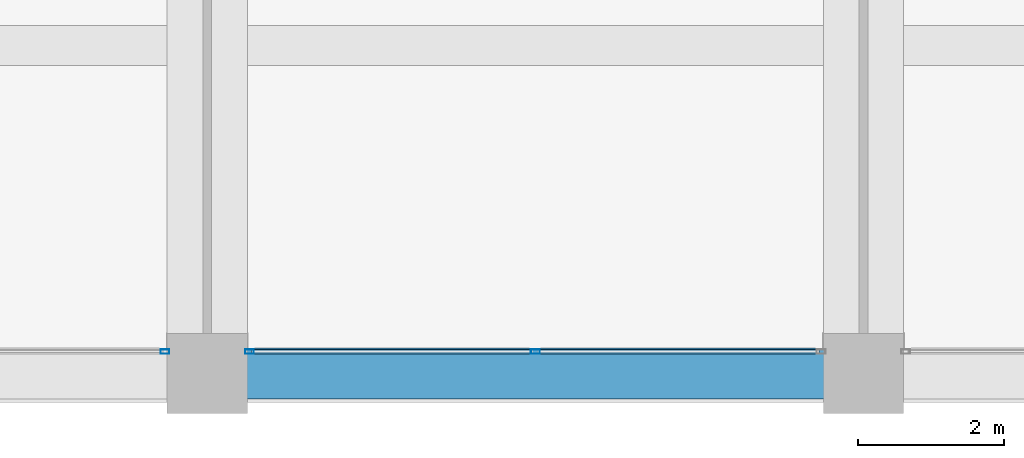
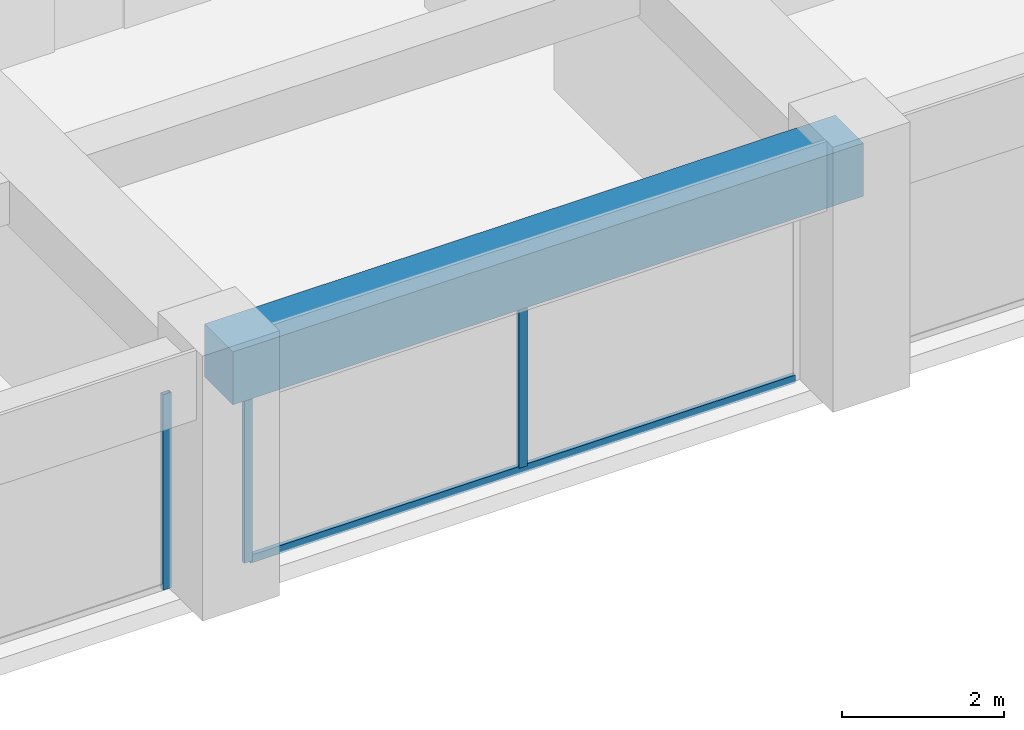
# One storey, part 9 of 44: 4 members, 1 beam, 2 elements without a shape of their own.
"""IFC4 building model written with IfcOpenShell, lengths in metres."""

from ifc_helpers import new_model, si_unit, direction, frame, origin, origin_2d, place, context, subcontext, project, spatial, rectangle, hollow_rectangle, extrude, material, material_profile, profile_set, type_object, element, aggregate, save


model = new_model("IFC4")

# Units and contexts
model_context = context("Model", 3, precision=1e-05, world=origin(), true_north=direction((0.0, 1.0)))
body_context = subcontext(model_context, "Body", "Model", "MODEL_VIEW")
ifc_project = project(units=[si_unit("LENGTHUNIT", "METRE"), si_unit("AREAUNIT", "SQUARE_METRE"), si_unit("VOLUMEUNIT", "CUBIC_METRE"), si_unit("PLANEANGLEUNIT", "RADIAN"), si_unit("MASSUNIT", "GRAM", prefix="KILO")], contexts=[model_context])

# Site, building, storey
site_placement = place(None, origin())
site = spatial("IfcSite", under=ifc_project, at=site_placement, CompositionType="ELEMENT")
building_placement = place(site_placement, origin())
building = spatial("IfcBuilding", under=site, at=building_placement, Name="Zorevar Civic Tower", CompositionType="ELEMENT")
storey_placement = place(building_placement, frame((0.0, 0.0, 287.39990234375)))
storey = spatial("IfcBuildingStorey", under=building, at=storey_placement, Name="L70", CompositionType="ELEMENT", Elevation=287.39990234375)

# Curtain wall, member
ifc_material_1 = material(Name="Dark grey solar-control glass in black aluminium frame", Category="aluminium")
curtain_wall_type = type_object("IfcCurtainWallType", Name="Curtain wall CW5 top zone", PredefinedType="NOTDEFINED", material=ifc_material_1)
curtain_wall_1_placement = place(storey_placement, origin())
curtain_wall_1 = element("IfcCurtainWall", 1, at=curtain_wall_1_placement, inside=storey, type_object=curtain_wall_type, Name="CW5 L70", PredefinedType="NOTDEFINED")
ifc_material_2 = material(Name="Aluminium, black anodised", Category="aluminium")
ifc_material_profile_1 = material_profile(ifc_material_2, hollow_rectangle(XDim=0.06005859375, YDim=0.1201171875, WallThickness=0.0029296875, at=origin_2d()), Name="AL 120x60x3")
ifc_profile_set_1 = profile_set([ifc_material_profile_1], Name="Aluminium, black anodised")
member_type_1 = type_object("IfcMemberType", Name="CW5 mullion AL 120x60x3", PredefinedType="MULLION", material=ifc_profile_set_1)
member_1_placement = place(storey_placement, frame((26.419921875, 0.300048828125, 0.0), z_axis=(0.0, 0.0, 1.0), x_axis=(0.0, 1.0, 0.0)))
member_1 = element("IfcMember", 2, at=member_1_placement, type_object=member_type_1, Name="CW5 mullion 3", PredefinedType="MULLION", context=body_context, shape_type="SweptSolid", body=[
    extrude(hollow_rectangle(XDim=0.06005859375, YDim=0.1201171875, WallThickness=0.0029296875, at=origin_2d()), origin(), (0.0, 0.0, 1.0), 2.9501953125),
])
aggregate(curtain_wall_1, [member_1])

# Curtain wall, members
curtain_wall_2_placement = place(storey_placement, origin())
curtain_wall_2 = element("IfcCurtainWall", 3, at=curtain_wall_2_placement, inside=storey, type_object=curtain_wall_type, Name="CW5 L70", PredefinedType="NOTDEFINED")
member_2_placement = place(storey_placement, frame((27.580078125, 0.300048828125, 0.0), z_axis=(0.0, 0.0, 1.0), x_axis=(0.0, 1.0, 0.0)))
member_2 = element("IfcMember", 4, at=member_2_placement, type_object=member_type_1, Name="CW5 mullion 1", PredefinedType="MULLION", context=body_context, shape_type="SweptSolid", body=[
    extrude(hollow_rectangle(XDim=0.06005859375, YDim=0.1201171875, WallThickness=0.0029296875, at=origin_2d()), origin(), (0.0, 0.0, 1.0), 2.9501953125),
])
member_3_placement = place(storey_placement, frame((31.5, 0.300048828125, 0.06005859375), z_axis=(0.0, 0.0, 1.0), x_axis=(0.0, 1.0, 0.0)))
member_3 = element("IfcMember", 5, at=member_3_placement, type_object=member_type_1, Name="CW5 mullion 2", PredefinedType="MULLION", context=body_context, shape_type="SweptSolid", body=[
    extrude(hollow_rectangle(XDim=0.06005859375, YDim=0.1201171875, WallThickness=0.0029296875, at=origin_2d()), origin(), (0.0, 0.0, 1.0), 2.89013671875),
])
ifc_material_3 = material(Name="Aluminium, black anodised", Category="aluminium")
ifc_material_profile_2 = material_profile(ifc_material_3, hollow_rectangle(XDim=0.06005859375, YDim=0.1201171875, WallThickness=0.0029296875, at=origin_2d()), Name="AL 120x60x3")
ifc_profile_set_2 = profile_set([ifc_material_profile_2], Name="Aluminium, black anodised")
member_type_2 = type_object("IfcMemberType", Name="CW5 transom AL 120x60x3", PredefinedType="USERDEFINED", material=ifc_profile_set_2)
member_4_placement = place(storey_placement, frame((27.610107421875, 0.300048828125, 0.030029296875), z_axis=(1.0, 0.0, 0.0), x_axis=(0.0, 1.0, 0.0)))
member_4 = element("IfcMember", 6, at=member_4_placement, type_object=member_type_2, Name="CW5 sill transom", ObjectType="TRANSOM", PredefinedType="USERDEFINED", context=body_context, shape_type="SweptSolid", body=[
    extrude(hollow_rectangle(XDim=0.06005859375, YDim=0.1201171875, WallThickness=0.0029296875, at=origin_2d()), origin(), (0.0, 0.0, 1.0), 7.77978515625),
])
aggregate(curtain_wall_2, [member_2, member_3, member_4])

# Beam
ifc_material_4 = material(Name="Concrete C50/60", Category="concrete")
ifc_material_profile_3 = material_profile(ifc_material_4, rectangle(XDim=0.699951171875, YDim=0.800048828125, at=origin_2d()), Name="RC 700x800")
ifc_profile_set_3 = profile_set([ifc_material_profile_3], Name="Concrete C50/60")
beam_type = type_object("IfcBeamType", Name="Edge beam RC 700x800", PredefinedType="SPANDREL", material=ifc_profile_set_3)
beam_placement = place(storey_placement, frame((27.0, 0.0, 3.35009765625), z_axis=(1.0, 0.0, 0.0), x_axis=(0.0, 1.0, 0.0)))
element("IfcBeam", 7, at=beam_placement, inside=storey, type_object=beam_type, Name="Edge beam L71", PredefinedType="SPANDREL", context=body_context, shape_type="SweptSolid", body=[
    extrude(rectangle(XDim=0.699951171875, YDim=0.800048828125, at=origin_2d()), origin(), (0.0, 0.0, 1.0), 9.0),
])

save(model, "model.ifc")
